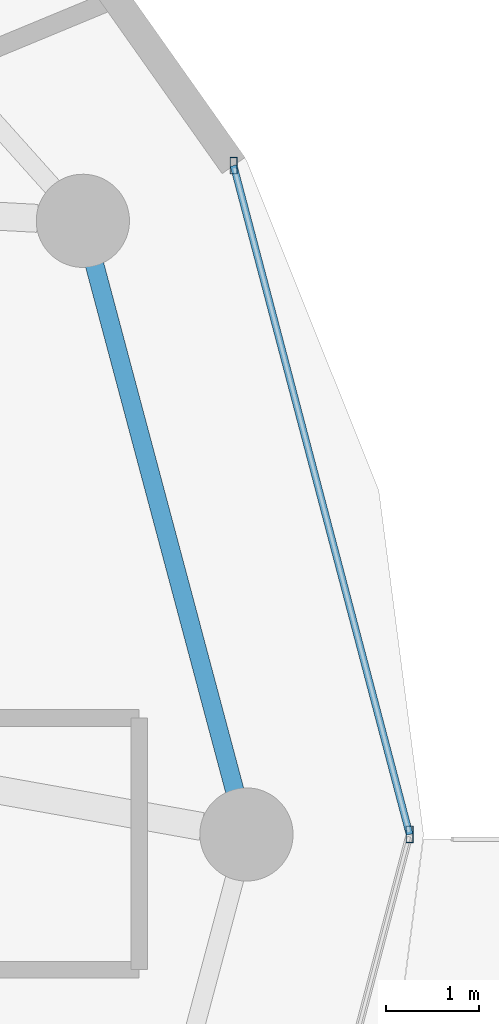
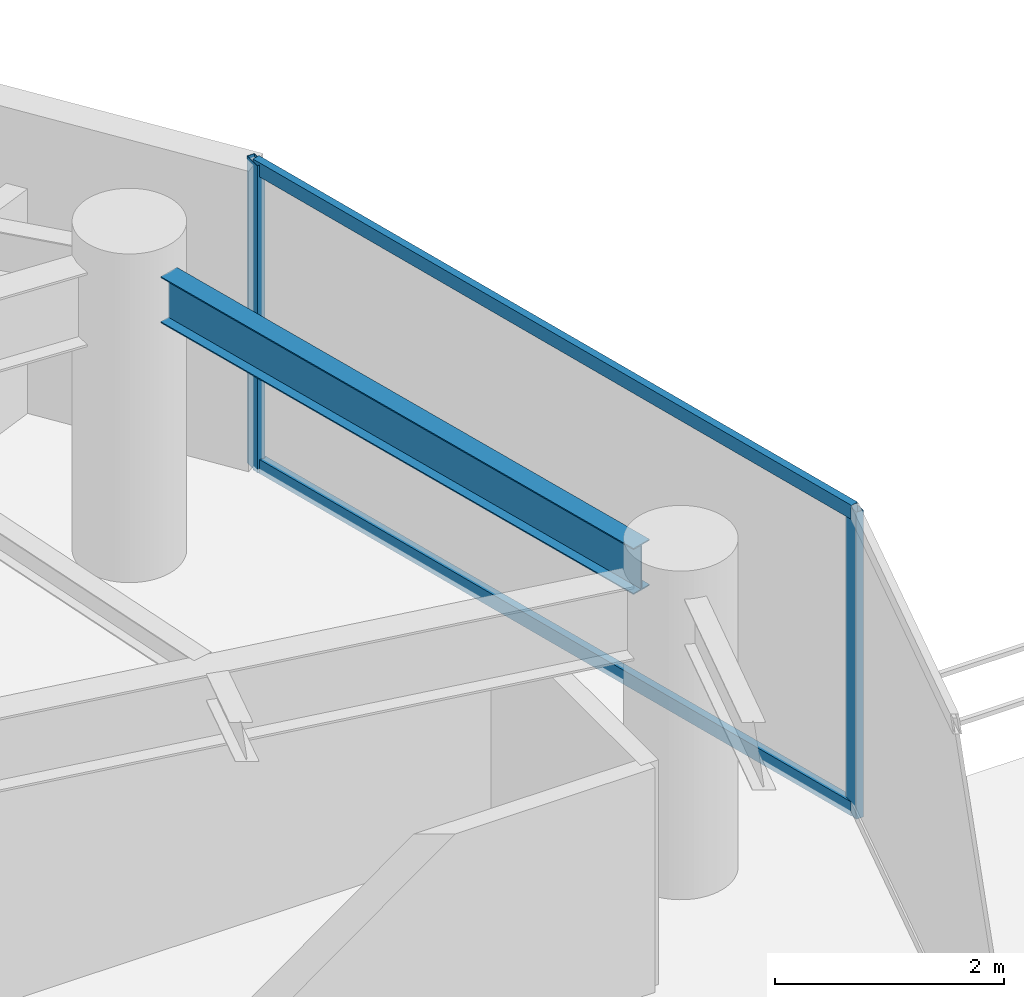
# One storey, part 15 of 29: 4 members, 1 beam, 1 element without a shape of its own.
"""IFC4 building model written with IfcOpenShell, lengths in metres."""

from ifc_helpers import new_model, si_unit, direction, frame, origin, origin_2d, place, context, subcontext, project, spatial, hollow_rectangle, i_section, extrude, material, material_profile, profile_set, type_object, element, aggregate, save


model = new_model("IFC4")

# Units and contexts
model_context = context("Model", 3, precision=1e-05, world=origin(), true_north=direction((0.0, 1.0)))
body_context = subcontext(model_context, "Body", "Model", "MODEL_VIEW")
ifc_project = project(units=[si_unit("LENGTHUNIT", "METRE"), si_unit("AREAUNIT", "SQUARE_METRE"), si_unit("VOLUMEUNIT", "CUBIC_METRE"), si_unit("PLANEANGLEUNIT", "RADIAN"), si_unit("MASSUNIT", "GRAM", prefix="KILO")], contexts=[model_context])

# Site, building, storey
site_placement = place(None, origin())
site = spatial("IfcSite", under=ifc_project, at=site_placement, CompositionType="ELEMENT")
building_placement = place(site_placement, origin())
building = spatial("IfcBuilding", under=site, at=building_placement, Name="Vorneva Point Tower", CompositionType="ELEMENT")
storey_placement = place(building_placement, frame((0.0, 0.0, 171.10009765625)))
storey = spatial("IfcBuildingStorey", under=building, at=storey_placement, Name="L46", CompositionType="ELEMENT", Elevation=171.10009765625)

# Beam
ifc_material_1 = material(Name="Steel S355", Category="steel")
ifc_material_profile_1 = material_profile(ifc_material_1, i_section(OverallWidth=0.199951171875, OverallDepth=0.491943359375, WebThickness=0.0087890625, FlangeThickness=0.011962890625, at=origin_2d()), Name="50B1")
ifc_profile_set_1 = profile_set([ifc_material_profile_1], Name="Steel S355")
beam_type = type_object("IfcBeamType", Name="BM-SPN-50B1", PredefinedType="SPANDREL", material=ifc_profile_set_1)
beam_placement = place(storey_placement, frame((60.925048828125, 26.468505859375, 2.953857421875), z_axis=(-0.257550804648, 0.966264758245, 0.0), x_axis=(-0.966264758245, -0.257550804648, 0.0)))
element("IfcBeam", 1, at=beam_placement, inside=storey, type_object=beam_type, Name="L46 Perimeter Spandrel Ring Beam 01", PredefinedType="SPANDREL", context=body_context, shape_type="SweptSolid", body=[
    extrude(i_section(OverallWidth=0.199951171875, OverallDepth=0.491943359375, WebThickness=0.0087890625, FlangeThickness=0.011962890625, at=origin_2d()), origin(), (0.0, 0.0, 1.0), 5.842041015625),
])

# Curtain wall, members
ifc_material_2 = material(Name="Pale anodised aluminium", Category="aluminium")
curtain_wall_type = type_object("IfcCurtainWallType", Name="CW-RES-SYS", PredefinedType="NOTDEFINED", material=ifc_material_2)
curtain_wall_placement = place(storey_placement, origin())
curtain_wall = element("IfcCurtainWall", 2, at=curtain_wall_placement, inside=storey, type_object=curtain_wall_type, Name="L46 Unitised Curtain Wall CW-L46-R01", PredefinedType="NOTDEFINED")
ifc_material_profile_2 = material_profile(ifc_material_2, hollow_rectangle(XDim=0.074951171875, YDim=0.179931640625, WallThickness=0.00390625, at=origin_2d()), Name="AL-MUL 180x75x4")
ifc_profile_set_2 = profile_set([ifc_material_profile_2], Name="Pale anodised aluminium")
member_type_1 = type_object("IfcMemberType", Name="CW-MUL-180", PredefinedType="MULLION", material=ifc_profile_set_2)
member_1_placement = place(storey_placement, frame((62.800048828125, 26.0, -0.0400390625), z_axis=(0.0, 0.0, 1.0), x_axis=(1.0, 0.0, 0.0)))
member_1 = element("IfcMember", 3, at=member_1_placement, type_object=member_type_1, Name="CW-L46-R01 Mullion 03", PredefinedType="MULLION", context=body_context, shape_type="SweptSolid", body=[
    extrude(hollow_rectangle(XDim=0.074951171875, YDim=0.179931640625, WallThickness=0.00390625, at=origin_2d()), origin(), (0.0, 0.0, 1.0), 3.27001953125),
])
member_2_placement = place(storey_placement, frame((60.912109375, 33.17529296875, -0.0400390625), z_axis=(0.0, 0.0, 1.0), x_axis=(1.0, 0.0, 0.0)))
member_2 = element("IfcMember", 4, at=member_2_placement, type_object=member_type_1, Name="CW-L46-R01 Mullion 04", PredefinedType="MULLION", context=body_context, shape_type="SweptSolid", body=[
    extrude(hollow_rectangle(XDim=0.074951171875, YDim=0.179931640625, WallThickness=0.00390625, at=origin_2d()), origin(), (0.0, 0.0, 1.0), 3.27001953125),
])
ifc_material_profile_3 = material_profile(ifc_material_2, hollow_rectangle(XDim=0.074951171875, YDim=0.14990234375, WallThickness=0.00390625, at=origin_2d()), Name="AL-TRN 150x75x4")
ifc_profile_set_3 = profile_set([ifc_material_profile_3], Name="Pale anodised aluminium")
member_type_2 = type_object("IfcMemberType", Name="CW-TRN-150", PredefinedType="USERDEFINED", material=ifc_profile_set_3)
member_3_placement = place(storey_placement, frame((62.800048828125, 26.0, 0.02001953125), z_axis=(-0.254456046293, 0.967084339913, 0.0), x_axis=(-0.967084339913, -0.254456046293, 0.0)))
member_3 = element("IfcMember", 5, at=member_3_placement, type_object=member_type_2, Name="CW-L46-R01 Transom 03.1", ObjectType="TRANSOM", PredefinedType="USERDEFINED", context=body_context, shape_type="SweptSolid", body=[
    extrude(hollow_rectangle(XDim=0.074951171875, YDim=0.14990234375, WallThickness=0.00390625, at=origin_2d()), origin(), (0.0, 0.0, 1.0), 7.41943359375),
])
member_4_placement = place(storey_placement, frame((62.800048828125, 26.0, 3.179931640625), z_axis=(-0.254456046293, 0.967084339913, 0.0), x_axis=(-0.967084339913, -0.254456046293, 0.0)))
member_4 = element("IfcMember", 6, at=member_4_placement, type_object=member_type_2, Name="CW-L46-R01 Transom 03.2", ObjectType="TRANSOM", PredefinedType="USERDEFINED", context=body_context, shape_type="SweptSolid", body=[
    extrude(hollow_rectangle(XDim=0.074951171875, YDim=0.14990234375, WallThickness=0.00390625, at=origin_2d()), origin(), (0.0, 0.0, 1.0), 7.41943359375),
])
aggregate(curtain_wall, [member_1, member_2, member_3, member_4])

save(model, "model.ifc")
